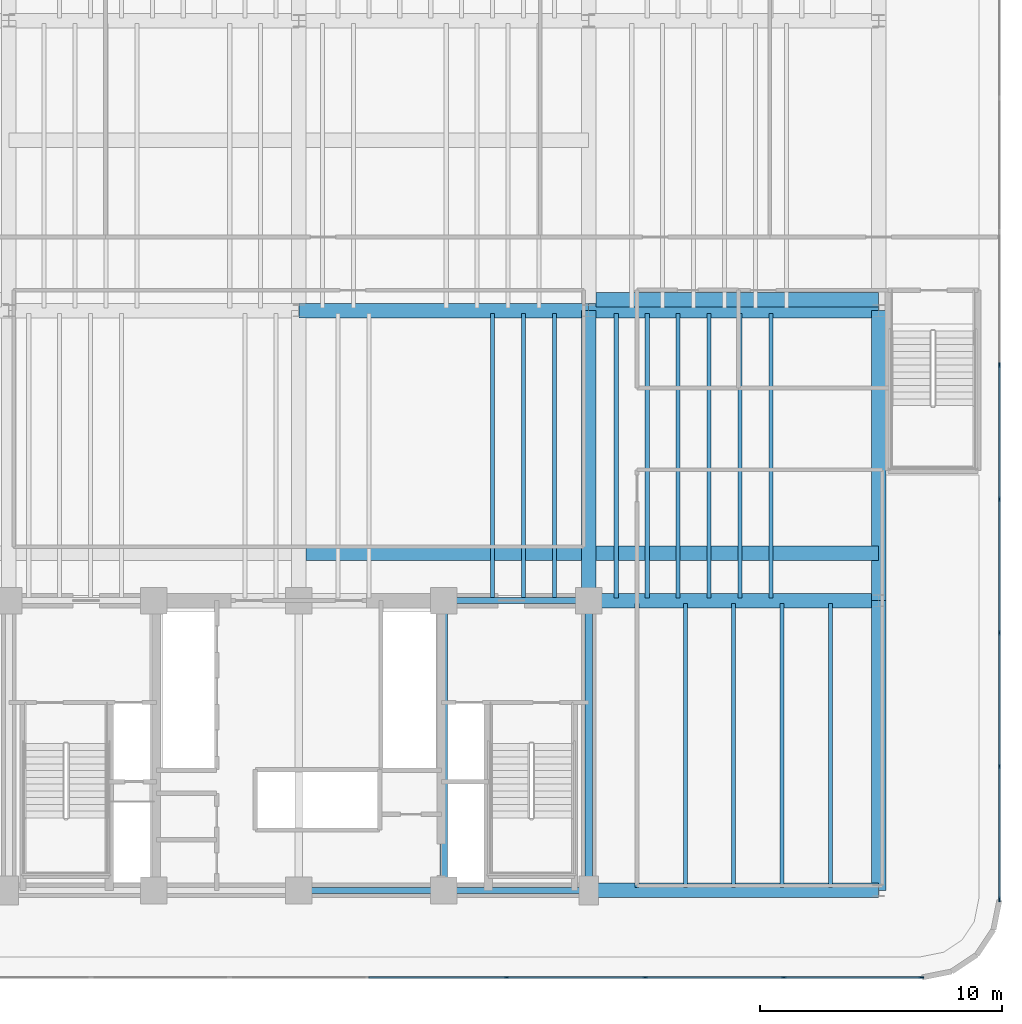
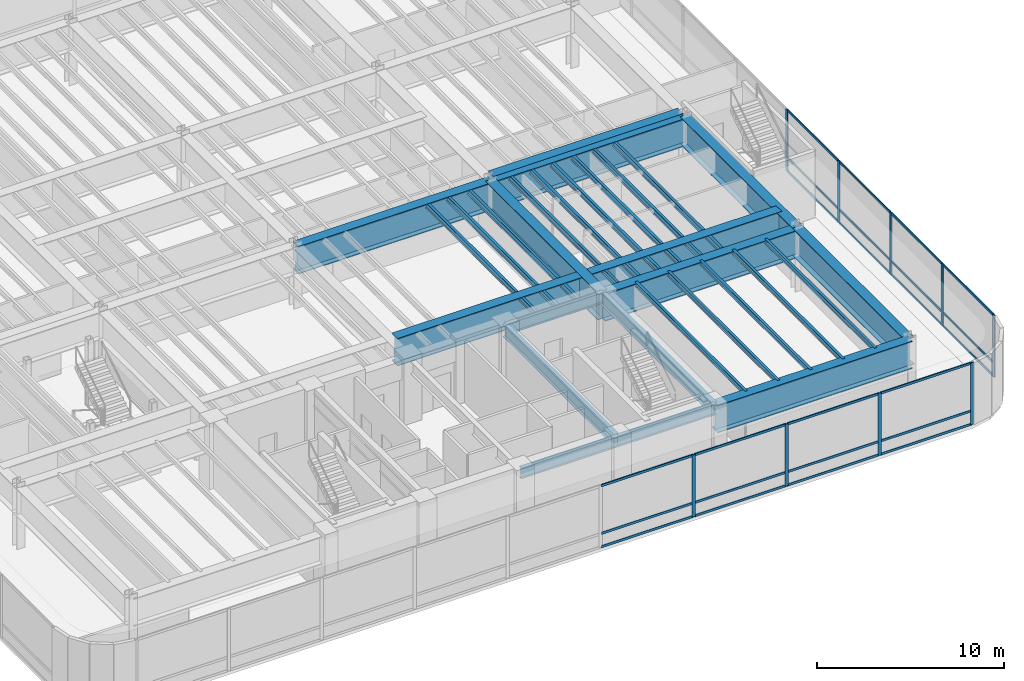
# One storey, part 6 of 19: 33 members, 29 beams, 2 elements without a shape of their own.
"""IFC4 building model written with IfcOpenShell, lengths in metres."""

from ifc_helpers import new_model, si_unit, direction, frame, origin, origin_2d, place, context, subcontext, project, spatial, rectangle, i_section, extrude, source, transform, mapped, material, layer, layer_set, material_profile, profile_set, type_object, element, aggregate, save


model = new_model("IFC4")

# Units and contexts
model_context = context("Model", 3, precision=1e-05, world=origin(), true_north=direction((0.0, 1.0)))
body_context = subcontext(model_context, "Body", "Model", "MODEL_VIEW")
ifc_project = project(units=[si_unit("LENGTHUNIT", "METRE"), si_unit("AREAUNIT", "SQUARE_METRE"), si_unit("VOLUMEUNIT", "CUBIC_METRE"), si_unit("PLANEANGLEUNIT", "RADIAN"), si_unit("MASSUNIT", "GRAM", prefix="KILO")], contexts=[model_context])

# Site, building, storey
site_placement = place(None, origin())
site = spatial("IfcSite", under=ifc_project, at=site_placement, CompositionType="ELEMENT")
building_placement = place(site_placement, origin())
building = spatial("IfcBuilding", under=site, at=building_placement, Name="Brelvock Crest Care Tower", CompositionType="ELEMENT")
storey_placement = place(building_placement, frame((0.0, 0.0, 18.360107421875)))
storey = spatial("IfcBuildingStorey", under=building, at=storey_placement, Name="L04", CompositionType="ELEMENT", Elevation=18.360107421875)

# Beams
ifc_material_1 = material(Name="Steel Grade 350", Category="steel")
ifc_material_profile_1 = material_profile(ifc_material_1, i_section(OverallWidth=0.25, OverallDepth=0.699951171875, WebThickness=0.011962890625, FlangeThickness=0.02001953125, at=origin_2d()), Name="700WB150")
ifc_profile_set_1 = profile_set([ifc_material_profile_1], Name="Steel Grade 350")
beam_type_1 = type_object("IfcBeamType", Name="BM-G4", PredefinedType="BEAM", material=ifc_profile_set_1)
shared_shape_1 = source(origin(), body_context, "Body", "SweptSolid", [
    extrude(i_section(OverallWidth=0.25, OverallDepth=0.699951171875, WebThickness=0.011962890625, FlangeThickness=0.02001953125, at=origin_2d()), origin(), (0.0, 0.0, 1.0), 6.0),
])
for number, where, z_axis, x_axis, name in (
    (1, (36.0, 6.0, 3.68994140625), (1.0, 0.0, 0.0), (0.0, 1.0, 0.0), "BM-CORES-L04-3"),
    (2, (42.0, 6.0, 3.68994140625), (1.0, 0.0, 0.0), (0.0, 1.0, 0.0), "BM-CORES-L04-4"),
    (3, (42.0, 18.0, 3.68994140625), (1.0, 0.0, 0.0), (0.0, 1.0, 0.0), "BM-COREN-L04-4"),
):
    element("IfcBeam", number, at=place(storey_placement, frame(where, z_axis=z_axis, x_axis=x_axis)), inside=storey, type_object=beam_type_1, Name=name, PredefinedType="BEAM", context=body_context, shape_type="MappedRepresentation", body=[
        mapped(shared_shape_1, transform((0.0, 0.0, 0.0), x_axis=(1.0, 0.0, 0.0), y_axis=(0.0, 1.0, 0.0), z_axis=(0.0, 0.0, 1.0), scale=1.0)),
    ])
ifc_material_profile_2 = material_profile(ifc_material_1, i_section(OverallWidth=0.300048828125, OverallDepth=0.800048828125, WebThickness=0.013916015625, FlangeThickness=0.02197265625, at=origin_2d()), Name="800WB192")
ifc_profile_set_2 = profile_set([ifc_material_profile_2], Name="Steel Grade 350")
beam_type_2 = type_object("IfcBeamType", Name="BM-G5", PredefinedType="BEAM", material=ifc_profile_set_2)
shared_shape_2 = source(origin(), body_context, "Body", "SweptSolid", [
    extrude(i_section(OverallWidth=0.300048828125, OverallDepth=0.800048828125, WebThickness=0.013916015625, FlangeThickness=0.02197265625, at=origin_2d()), origin(), (0.0, 0.0, 1.0), 12.0),
])
for number, where, z_axis, x_axis, name in (
    (4, (42.0, 6.0, 3.639892578125), (0.0, 1.0, 0.0), (-1.0, 0.0, 0.0), "BM-COREX-L04-4"),
    (5, (48.0, 6.0, 3.639892578125), (0.0, 1.0, 0.0), (-1.0, 0.0, 0.0), "BM-COREX-L04-5"),
):
    element("IfcBeam", number, at=place(storey_placement, frame(where, z_axis=z_axis, x_axis=x_axis)), inside=storey, type_object=beam_type_2, Name=name, PredefinedType="BEAM", context=body_context, shape_type="MappedRepresentation", body=[
        mapped(shared_shape_2, transform((0.0, 0.0, 0.0), x_axis=(1.0, 0.0, 0.0), y_axis=(0.0, 1.0, 0.0), z_axis=(0.0, 0.0, 1.0), scale=1.0)),
    ])
ifc_material_profile_3 = material_profile(ifc_material_1, i_section(OverallWidth=0.172119140625, OverallDepth=0.35888671875, WebThickness=0.008056640625, FlangeThickness=0.012939453125, FilletRadius=0.011474609375, at=origin_2d()), Name="360UB56.7")
ifc_profile_set_3 = profile_set([ifc_material_profile_3], Name="Steel Grade 350")
beam_type_3 = type_object("IfcBeamType", Name="BM-J1", PredefinedType="JOIST", material=ifc_profile_set_3)
shared_shape_3 = source(origin(), body_context, "Body", "SweptSolid", [
    extrude(i_section(OverallWidth=0.172119140625, OverallDepth=0.35888671875, WebThickness=0.008056640625, FlangeThickness=0.012939453125, FilletRadius=0.011474609375, at=origin_2d()), origin(), (0.0, 0.0, 1.0), 11.77001953125),
])
for number, where, z_axis, x_axis, name in (
    (6, (44.02001953125, 18.114990234375, 3.8603515625), (0.0, 1.0, 0.0), (-1.0, 0.0, 0.0), "BM-PODJ-L04-4402-18"),
    (7, (45.300048828125, 18.114990234375, 3.8603515625), (0.0, 1.0, 0.0), (-1.0, 0.0, 0.0), "BM-PODJ-L04-4530-18"),
    (8, (46.580078125, 18.114990234375, 3.8603515625), (0.0, 1.0, 0.0), (-1.0, 0.0, 0.0), "BM-PODJ-L04-4658-18"),
    (9, (49.139892578125, 18.114990234375, 3.8603515625), (0.0, 1.0, 0.0), (-1.0, 0.0, 0.0), "BM-PODJ-L04-4914-18"),
    (10, (50.419921875, 18.114990234375, 3.8603515625), (0.0, 1.0, 0.0), (-1.0, 0.0, 0.0), "BM-PODJ-L04-5042-18"),
    (11, (51.699951171875, 18.114990234375, 3.8603515625), (0.0, 1.0, 0.0), (-1.0, 0.0, 0.0), "BM-PODJ-L04-5170-18"),
    (12, (52.97998046875, 18.114990234375, 3.8603515625), (0.0, 1.0, 0.0), (-1.0, 0.0, 0.0), "BM-PODJ-L04-5298-18"),
    (13, (54.260009765625, 18.114990234375, 3.8603515625), (0.0, 1.0, 0.0), (-1.0, 0.0, 0.0), "BM-PODJ-L04-5426-18"),
    (14, (55.5400390625, 18.114990234375, 3.8603515625), (0.0, 1.0, 0.0), (-1.0, 0.0, 0.0), "BM-PODJ-L04-5554-18"),
):
    element("IfcBeam", number, at=place(storey_placement, frame(where, z_axis=z_axis, x_axis=x_axis)), inside=storey, type_object=beam_type_3, Name=name, PredefinedType="JOIST", context=body_context, shape_type="MappedRepresentation", body=[
        mapped(shared_shape_3, transform((0.0, 0.0, 0.0), x_axis=(1.0, 0.0, 0.0), y_axis=(0.0, 1.0, 0.0), z_axis=(0.0, 0.0, 1.0), scale=1.0)),
    ])
ifc_material_profile_4 = material_profile(ifc_material_1, i_section(OverallWidth=0.166015625, OverallDepth=0.306884765625, WebThickness=0.006591796875, FlangeThickness=0.01171875, FilletRadius=0.011474609375, at=origin_2d()), Name="310UB46.2")
ifc_profile_set_4 = profile_set([ifc_material_profile_4], Name="Steel Grade 350")
beam_type_4 = type_object("IfcBeamType", Name="BM-J2", PredefinedType="JOIST", material=ifc_profile_set_4)
shared_shape_4 = source(origin(), body_context, "Body", "SweptSolid", [
    extrude(i_section(OverallWidth=0.166015625, OverallDepth=0.306884765625, WebThickness=0.006591796875, FlangeThickness=0.01171875, FilletRadius=0.011474609375, at=origin_2d()), origin(), (0.0, 0.0, 1.0), 11.77001953125),
])
for number, where, z_axis, x_axis, name in (
    (15, (50.0, 6.114990234375, 3.886474609375), (0.0, 1.0, 0.0), (-1.0, 0.0, 0.0), "BM-PODSJ-L04-500"),
    (16, (52.0, 6.114990234375, 3.886474609375), (0.0, 1.0, 0.0), (-1.0, 0.0, 0.0), "BM-PODSJ-L04-520"),
    (17, (54.0, 6.114990234375, 3.886474609375), (0.0, 1.0, 0.0), (-1.0, 0.0, 0.0), "BM-PODSJ-L04-540"),
    (18, (56.0, 6.114990234375, 3.886474609375), (0.0, 1.0, 0.0), (-1.0, 0.0, 0.0), "BM-PODSJ-L04-560"),
    (19, (58.0, 6.114990234375, 3.886474609375), (0.0, 1.0, 0.0), (-1.0, 0.0, 0.0), "BM-PODSJ-L04-580"),
):
    element("IfcBeam", number, at=place(storey_placement, frame(where, z_axis=z_axis, x_axis=x_axis)), inside=storey, type_object=beam_type_4, Name=name, PredefinedType="JOIST", context=body_context, shape_type="MappedRepresentation", body=[
        mapped(shared_shape_4, transform((0.0, 0.0, 0.0), x_axis=(1.0, 0.0, 0.0), y_axis=(0.0, 1.0, 0.0), z_axis=(0.0, 0.0, 1.0), scale=1.0)),
    ])
ifc_material_profile_5 = material_profile(ifc_material_1, i_section(OverallWidth=0.60009765625, OverallDepth=1.800048828125, WebThickness=0.028076171875, FlangeThickness=0.052001953125, at=origin_2d()), Name="1800TG740")
ifc_profile_set_5 = profile_set([ifc_material_profile_5], Name="Steel Grade 350")
beam_type_5 = type_object("IfcBeamType", Name="BM-TG1", PredefinedType="USERDEFINED", material=ifc_profile_set_5)
shared_shape_5 = source(origin(), body_context, "Body", "SweptSolid", [
    extrude(i_section(OverallWidth=0.60009765625, OverallDepth=1.800048828125, WebThickness=0.028076171875, FlangeThickness=0.052001953125, at=origin_2d()), origin(), (0.0, 0.0, 1.0), 12.0),
])
for number, where, z_axis, x_axis, name in (
    (20, (48.0, 6.0, 3.139892578125), (1.0, 0.0, 0.0), (0.0, 1.0, 0.0), "BM-PODX-L04-6-48"),
    (21, (48.0, 18.0, 3.139892578125), (1.0, 0.0, 0.0), (0.0, 1.0, 0.0), "BM-PODX-L04-18-48"),
    (22, (36.0, 30.0, 3.139892578125), (1.0, 0.0, 0.0), (0.0, 1.0, 0.0), "BM-PODX-L04-30-36"),
    (23, (48.0, 30.0, 3.139892578125), (1.0, 0.0, 0.0), (0.0, 1.0, 0.0), "BM-PODX-L04-30-48"),
    (24, (48.0, 18.0, 3.139892578125), (0.0, 1.0, 0.0), (-1.0, 0.0, 0.0), "BM-PODY-L04-48-18"),
    (25, (60.0, 6.0, 3.139892578125), (0.0, 1.0, 0.0), (-1.0, 0.0, 0.0), "BM-PODY-L04-60-6"),
    (26, (60.0, 18.0, 3.139892578125), (0.0, 1.0, 0.0), (-1.0, 0.0, 0.0), "BM-PODY-L04-60-18"),
):
    element("IfcBeam", number, at=place(storey_placement, frame(where, z_axis=z_axis, x_axis=x_axis)), inside=storey, type_object=beam_type_5, Name=name, ObjectType="GIRDER", PredefinedType="USERDEFINED", context=body_context, shape_type="MappedRepresentation", body=[
        mapped(shared_shape_5, transform((0.0, 0.0, 0.0), x_axis=(1.0, 0.0, 0.0), y_axis=(0.0, 1.0, 0.0), z_axis=(0.0, 0.0, 1.0), scale=1.0)),
    ])
shared_shape_6 = source(origin(), body_context, "Body", "SweptSolid", [
    extrude(i_section(OverallWidth=0.60009765625, OverallDepth=1.800048828125, WebThickness=0.028076171875, FlangeThickness=0.052001953125, at=origin_2d()), origin(), (0.0, 0.0, 1.0), 11.699951171875),
])
for number, where, z_axis, x_axis, name in (
    (27, (48.300048828125, 19.949951171875, 3.139892578125), (1.0, 0.0, 0.0), (0.0, 1.0, 0.0), "BM-TG04-Y20-4"),
    (28, (48.300048828125, 30.449951171875, 3.139892578125), (1.0, 0.0, 0.0), (0.0, 1.0, 0.0), "BM-TG04-Y30-E"),
):
    element("IfcBeam", number, at=place(storey_placement, frame(where, z_axis=z_axis, x_axis=x_axis)), inside=storey, type_object=beam_type_5, Name=name, ObjectType="GIRDER", PredefinedType="USERDEFINED", context=body_context, shape_type="MappedRepresentation", body=[
        mapped(shared_shape_6, transform((0.0, 0.0, 0.0), x_axis=(1.0, 0.0, 0.0), y_axis=(0.0, 1.0, 0.0), z_axis=(0.0, 0.0, 1.0), scale=1.0)),
    ])
shared_shape_7 = source(origin(), body_context, "Body", "SweptSolid", [
    extrude(i_section(OverallWidth=0.60009765625, OverallDepth=1.800048828125, WebThickness=0.028076171875, FlangeThickness=0.052001953125, at=origin_2d()), origin(), (0.0, 0.0, 1.0), 11.39990234375),
])
beam_placement = place(storey_placement, frame((36.300048828125, 19.949951171875, 3.139892578125), z_axis=(1.0, 0.0, 0.0), x_axis=(0.0, 1.0, 0.0)))
element("IfcBeam", 29, at=beam_placement, inside=storey, type_object=beam_type_5, Name="BM-TG04-Y20-3", ObjectType="GIRDER", PredefinedType="USERDEFINED", context=body_context, shape_type="MappedRepresentation", body=[
    mapped(shared_shape_7, transform((0.0, 0.0, 0.0), x_axis=(1.0, 0.0, 0.0), y_axis=(0.0, 1.0, 0.0), z_axis=(0.0, 0.0, 1.0), scale=1.0)),
])

# Curtain wall, members
ifc_material_2 = material(Name="Dark Glass Double Glazed Low-E", Category="glass")
ifc_layer = layer(ifc_material_2, 0.179931640625, Name="CWS-1")
ifc_layer_set = layer_set([ifc_layer], Name="Dark Glass Double Glazed Low-E")
curtain_wall_type = type_object("IfcCurtainWallType", Name="CWS-1", PredefinedType="NOTDEFINED", material=ifc_layer_set)
curtain_wall_1_placement = place(storey_placement, origin())
curtain_wall_1 = element("IfcCurtainWall", 30, at=curtain_wall_1_placement, inside=storey, type_object=curtain_wall_type, Name="L04 Curtain Wall E14", PredefinedType="NOTDEFINED")
ifc_material_3 = material(Name="Aluminium 6063-T6", Category="aluminium")
ifc_material_profile_6 = material_profile(ifc_material_3, rectangle(XDim=0.06494140625, YDim=0.14990234375, at=origin_2d()), Name="ALU65x150")
ifc_profile_set_6 = profile_set([ifc_material_profile_6], Name="Aluminium 6063-T6")
member_type_1 = type_object("IfcMemberType", Name="CWT-1", PredefinedType="USERDEFINED", material=ifc_profile_set_6)
shared_shape_8 = source(origin(), body_context, "Body", "SweptSolid", [
    extrude(rectangle(XDim=0.06494140625, YDim=0.14990234375, at=origin_2d()), origin(), (0.0, 0.0, 1.0), 5.435791015625),
])
member_1_placement = place(storey_placement, frame((65.0, 11.100830078125, 0.032470703125), z_axis=(0.0, -1.0, 0.0), x_axis=(1.0, 0.0, 0.0)))
member_1 = element("IfcMember", 31, at=member_1_placement, type_object=member_type_1, Name="CW-1 transom 9.1", ObjectType="TRANSOM", PredefinedType="USERDEFINED", context=body_context, shape_type="MappedRepresentation", body=[
    mapped(shared_shape_8, transform((0.0, 0.0, 0.0), x_axis=(1.0, 0.0, 0.0), y_axis=(0.0, 1.0, 0.0), z_axis=(0.0, 0.0, 1.0), scale=1.0)),
])
member_2_placement = place(storey_placement, frame((65.0, 11.100830078125, 0.89990234375), z_axis=(0.0, -1.0, 0.0), x_axis=(1.0, 0.0, 0.0)))
member_2 = element("IfcMember", 32, at=member_2_placement, type_object=member_type_1, Name="CW-1 transom 9.2", ObjectType="TRANSOM", PredefinedType="USERDEFINED", context=body_context, shape_type="MappedRepresentation", body=[
    mapped(shared_shape_8, transform((0.0, 0.0, 0.0), x_axis=(1.0, 0.0, 0.0), y_axis=(0.0, 1.0, 0.0), z_axis=(0.0, 0.0, 1.0), scale=1.0)),
])
member_3_placement = place(storey_placement, frame((65.0, 11.100830078125, 4.00732421875), z_axis=(0.0, -1.0, 0.0), x_axis=(1.0, 0.0, 0.0)))
member_3 = element("IfcMember", 33, at=member_3_placement, type_object=member_type_1, Name="CW-1 transom 9.3", ObjectType="TRANSOM", PredefinedType="USERDEFINED", context=body_context, shape_type="MappedRepresentation", body=[
    mapped(shared_shape_8, transform((0.0, 0.0, 0.0), x_axis=(1.0, 0.0, 0.0), y_axis=(0.0, 1.0, 0.0), z_axis=(0.0, 0.0, 1.0), scale=1.0)),
])
shared_shape_9 = source(origin(), body_context, "Body", "SweptSolid", [
    extrude(rectangle(XDim=0.06494140625, YDim=0.14990234375, at=origin_2d()), origin(), (0.0, 0.0, 1.0), 5.468505859375),
])
member_4_placement = place(storey_placement, frame((65.0, 27.700927734375, 0.032470703125), z_axis=(0.0, -1.0, 0.0), x_axis=(1.0, 0.0, 0.0)))
member_4 = element("IfcMember", 34, at=member_4_placement, type_object=member_type_1, Name="CW-1 transom 6.1", ObjectType="TRANSOM", PredefinedType="USERDEFINED", context=body_context, shape_type="MappedRepresentation", body=[
    mapped(shared_shape_9, transform((0.0, 0.0, 0.0), x_axis=(1.0, 0.0, 0.0), y_axis=(0.0, 1.0, 0.0), z_axis=(0.0, 0.0, 1.0), scale=1.0)),
])
member_5_placement = place(storey_placement, frame((65.0, 27.700927734375, 0.89990234375), z_axis=(0.0, -1.0, 0.0), x_axis=(1.0, 0.0, 0.0)))
member_5 = element("IfcMember", 35, at=member_5_placement, type_object=member_type_1, Name="CW-1 transom 6.2", ObjectType="TRANSOM", PredefinedType="USERDEFINED", context=body_context, shape_type="MappedRepresentation", body=[
    mapped(shared_shape_9, transform((0.0, 0.0, 0.0), x_axis=(1.0, 0.0, 0.0), y_axis=(0.0, 1.0, 0.0), z_axis=(0.0, 0.0, 1.0), scale=1.0)),
])
member_6_placement = place(storey_placement, frame((65.0, 27.700927734375, 4.00732421875), z_axis=(0.0, -1.0, 0.0), x_axis=(1.0, 0.0, 0.0)))
member_6 = element("IfcMember", 36, at=member_6_placement, type_object=member_type_1, Name="CW-1 transom 6.3", ObjectType="TRANSOM", PredefinedType="USERDEFINED", context=body_context, shape_type="MappedRepresentation", body=[
    mapped(shared_shape_9, transform((0.0, 0.0, 0.0), x_axis=(1.0, 0.0, 0.0), y_axis=(0.0, 1.0, 0.0), z_axis=(0.0, 0.0, 1.0), scale=1.0)),
])
member_7_placement = place(storey_placement, frame((65.0, 16.63427734375, 0.032470703125), z_axis=(0.0, -1.0, 0.0), x_axis=(1.0, 0.0, 0.0)))
member_7 = element("IfcMember", 37, at=member_7_placement, type_object=member_type_1, Name="CW-1 transom 8.1", ObjectType="TRANSOM", PredefinedType="USERDEFINED", context=body_context, shape_type="MappedRepresentation", body=[
    mapped(shared_shape_9, transform((0.0, 0.0, 0.0), x_axis=(1.0, 0.0, 0.0), y_axis=(0.0, 1.0, 0.0), z_axis=(0.0, 0.0, 1.0), scale=1.0)),
])
member_8_placement = place(storey_placement, frame((65.0, 16.63427734375, 0.89990234375), z_axis=(0.0, -1.0, 0.0), x_axis=(1.0, 0.0, 0.0)))
member_8 = element("IfcMember", 38, at=member_8_placement, type_object=member_type_1, Name="CW-1 transom 8.2", ObjectType="TRANSOM", PredefinedType="USERDEFINED", context=body_context, shape_type="MappedRepresentation", body=[
    mapped(shared_shape_9, transform((0.0, 0.0, 0.0), x_axis=(1.0, 0.0, 0.0), y_axis=(0.0, 1.0, 0.0), z_axis=(0.0, 0.0, 1.0), scale=1.0)),
])
member_9_placement = place(storey_placement, frame((65.0, 16.63427734375, 4.00732421875), z_axis=(0.0, -1.0, 0.0), x_axis=(1.0, 0.0, 0.0)))
member_9 = element("IfcMember", 39, at=member_9_placement, type_object=member_type_1, Name="CW-1 transom 8.3", ObjectType="TRANSOM", PredefinedType="USERDEFINED", context=body_context, shape_type="MappedRepresentation", body=[
    mapped(shared_shape_9, transform((0.0, 0.0, 0.0), x_axis=(1.0, 0.0, 0.0), y_axis=(0.0, 1.0, 0.0), z_axis=(0.0, 0.0, 1.0), scale=1.0)),
])
shared_shape_10 = source(origin(), body_context, "Body", "SweptSolid", [
    extrude(rectangle(XDim=0.06494140625, YDim=0.14990234375, at=origin_2d()), origin(), (0.0, 0.0, 1.0), 5.46826171875),
])
member_10_placement = place(storey_placement, frame((65.0, 22.16748046875, 0.032470703125), z_axis=(0.0, -1.0, 0.0), x_axis=(1.0, 0.0, 0.0)))
member_10 = element("IfcMember", 40, at=member_10_placement, type_object=member_type_1, Name="CW-1 transom 7.1", ObjectType="TRANSOM", PredefinedType="USERDEFINED", context=body_context, shape_type="MappedRepresentation", body=[
    mapped(shared_shape_10, transform((0.0, 0.0, 0.0), x_axis=(1.0, 0.0, 0.0), y_axis=(0.0, 1.0, 0.0), z_axis=(0.0, 0.0, 1.0), scale=1.0)),
])
member_11_placement = place(storey_placement, frame((65.0, 22.16748046875, 0.89990234375), z_axis=(0.0, -1.0, 0.0), x_axis=(1.0, 0.0, 0.0)))
member_11 = element("IfcMember", 41, at=member_11_placement, type_object=member_type_1, Name="CW-1 transom 7.2", ObjectType="TRANSOM", PredefinedType="USERDEFINED", context=body_context, shape_type="MappedRepresentation", body=[
    mapped(shared_shape_10, transform((0.0, 0.0, 0.0), x_axis=(1.0, 0.0, 0.0), y_axis=(0.0, 1.0, 0.0), z_axis=(0.0, 0.0, 1.0), scale=1.0)),
])
member_12_placement = place(storey_placement, frame((65.0, 22.16748046875, 4.00732421875), z_axis=(0.0, -1.0, 0.0), x_axis=(1.0, 0.0, 0.0)))
member_12 = element("IfcMember", 42, at=member_12_placement, type_object=member_type_1, Name="CW-1 transom 7.3", ObjectType="TRANSOM", PredefinedType="USERDEFINED", context=body_context, shape_type="MappedRepresentation", body=[
    mapped(shared_shape_10, transform((0.0, 0.0, 0.0), x_axis=(1.0, 0.0, 0.0), y_axis=(0.0, 1.0, 0.0), z_axis=(0.0, 0.0, 1.0), scale=1.0)),
])

curtain_wall_2_placement = place(storey_placement, origin())
curtain_wall_2 = element("IfcCurtainWall", 43, at=curtain_wall_2_placement, inside=storey, type_object=curtain_wall_type, Name="L04 Curtain Wall E19", PredefinedType="NOTDEFINED")
shared_shape_11 = source(origin(), body_context, "Body", "SweptSolid", [
    extrude(rectangle(XDim=0.06494140625, YDim=0.14990234375, at=origin_2d()), origin(), (0.0, 0.0, 1.0), 5.635986328125),
])
member_13_placement = place(storey_placement, frame((61.735107421875, 2.39990234375, 0.032470703125), z_axis=(-1.0, 0.0, 0.0), x_axis=(0.0, -1.0, 0.0)))
member_13 = element("IfcMember", 44, at=member_13_placement, type_object=member_type_1, Name="CW-1 transom 1.1", ObjectType="TRANSOM", PredefinedType="USERDEFINED", context=body_context, shape_type="MappedRepresentation", body=[
    mapped(shared_shape_11, transform((0.0, 0.0, 0.0), x_axis=(1.0, 0.0, 0.0), y_axis=(0.0, 1.0, 0.0), z_axis=(0.0, 0.0, 1.0), scale=1.0)),
])
member_14_placement = place(storey_placement, frame((61.735107421875, 2.39990234375, 0.89990234375), z_axis=(-1.0, 0.0, 0.0), x_axis=(0.0, -1.0, 0.0)))
member_14 = element("IfcMember", 45, at=member_14_placement, type_object=member_type_1, Name="CW-1 transom 1.2", ObjectType="TRANSOM", PredefinedType="USERDEFINED", context=body_context, shape_type="MappedRepresentation", body=[
    mapped(shared_shape_11, transform((0.0, 0.0, 0.0), x_axis=(1.0, 0.0, 0.0), y_axis=(0.0, 1.0, 0.0), z_axis=(0.0, 0.0, 1.0), scale=1.0)),
])
member_15_placement = place(storey_placement, frame((61.735107421875, 2.39990234375, 4.00732421875), z_axis=(-1.0, 0.0, 0.0), x_axis=(0.0, -1.0, 0.0)))
member_15 = element("IfcMember", 46, at=member_15_placement, type_object=member_type_1, Name="CW-1 transom 1.3", ObjectType="TRANSOM", PredefinedType="USERDEFINED", context=body_context, shape_type="MappedRepresentation", body=[
    mapped(shared_shape_11, transform((0.0, 0.0, 0.0), x_axis=(1.0, 0.0, 0.0), y_axis=(0.0, 1.0, 0.0), z_axis=(0.0, 0.0, 1.0), scale=1.0)),
])
shared_shape_12 = source(origin(), body_context, "Body", "SweptSolid", [
    extrude(rectangle(XDim=0.06494140625, YDim=0.14990234375, at=origin_2d()), origin(), (0.0, 0.0, 1.0), 5.66845703125),
])
member_16_placement = place(storey_placement, frame((56.0341796875, 2.39990234375, 0.032470703125), z_axis=(-1.0, 0.0, 0.0), x_axis=(0.0, -1.0, 0.0)))
member_16 = element("IfcMember", 47, at=member_16_placement, type_object=member_type_1, Name="CW-1 transom 2.1", ObjectType="TRANSOM", PredefinedType="USERDEFINED", context=body_context, shape_type="MappedRepresentation", body=[
    mapped(shared_shape_12, transform((0.0, 0.0, 0.0), x_axis=(1.0, 0.0, 0.0), y_axis=(0.0, 1.0, 0.0), z_axis=(0.0, 0.0, 1.0), scale=1.0)),
])
member_17_placement = place(storey_placement, frame((56.0341796875, 2.39990234375, 0.89990234375), z_axis=(-1.0, 0.0, 0.0), x_axis=(0.0, -1.0, 0.0)))
member_17 = element("IfcMember", 48, at=member_17_placement, type_object=member_type_1, Name="CW-1 transom 2.2", ObjectType="TRANSOM", PredefinedType="USERDEFINED", context=body_context, shape_type="MappedRepresentation", body=[
    mapped(shared_shape_12, transform((0.0, 0.0, 0.0), x_axis=(1.0, 0.0, 0.0), y_axis=(0.0, 1.0, 0.0), z_axis=(0.0, 0.0, 1.0), scale=1.0)),
])
member_18_placement = place(storey_placement, frame((56.0341796875, 2.39990234375, 4.00732421875), z_axis=(-1.0, 0.0, 0.0), x_axis=(0.0, -1.0, 0.0)))
member_18 = element("IfcMember", 49, at=member_18_placement, type_object=member_type_1, Name="CW-1 transom 2.3", ObjectType="TRANSOM", PredefinedType="USERDEFINED", context=body_context, shape_type="MappedRepresentation", body=[
    mapped(shared_shape_12, transform((0.0, 0.0, 0.0), x_axis=(1.0, 0.0, 0.0), y_axis=(0.0, 1.0, 0.0), z_axis=(0.0, 0.0, 1.0), scale=1.0)),
])
shared_shape_13 = source(origin(), body_context, "Body", "SweptSolid", [
    extrude(rectangle(XDim=0.06494140625, YDim=0.14990234375, at=origin_2d()), origin(), (0.0, 0.0, 1.0), 5.668212890625),
])
member_19_placement = place(storey_placement, frame((50.30078125, 2.39990234375, 0.032470703125), z_axis=(-1.0, 0.0, 0.0), x_axis=(0.0, -1.0, 0.0)))
member_19 = element("IfcMember", 50, at=member_19_placement, type_object=member_type_1, Name="CW-1 transom 3.1", ObjectType="TRANSOM", PredefinedType="USERDEFINED", context=body_context, shape_type="MappedRepresentation", body=[
    mapped(shared_shape_13, transform((0.0, 0.0, 0.0), x_axis=(1.0, 0.0, 0.0), y_axis=(0.0, 1.0, 0.0), z_axis=(0.0, 0.0, 1.0), scale=1.0)),
])
member_20_placement = place(storey_placement, frame((50.30078125, 2.39990234375, 0.89990234375), z_axis=(-1.0, 0.0, 0.0), x_axis=(0.0, -1.0, 0.0)))
member_20 = element("IfcMember", 51, at=member_20_placement, type_object=member_type_1, Name="CW-1 transom 3.2", ObjectType="TRANSOM", PredefinedType="USERDEFINED", context=body_context, shape_type="MappedRepresentation", body=[
    mapped(shared_shape_13, transform((0.0, 0.0, 0.0), x_axis=(1.0, 0.0, 0.0), y_axis=(0.0, 1.0, 0.0), z_axis=(0.0, 0.0, 1.0), scale=1.0)),
])
member_21_placement = place(storey_placement, frame((50.30078125, 2.39990234375, 4.00732421875), z_axis=(-1.0, 0.0, 0.0), x_axis=(0.0, -1.0, 0.0)))
member_21 = element("IfcMember", 52, at=member_21_placement, type_object=member_type_1, Name="CW-1 transom 3.3", ObjectType="TRANSOM", PredefinedType="USERDEFINED", context=body_context, shape_type="MappedRepresentation", body=[
    mapped(shared_shape_13, transform((0.0, 0.0, 0.0), x_axis=(1.0, 0.0, 0.0), y_axis=(0.0, 1.0, 0.0), z_axis=(0.0, 0.0, 1.0), scale=1.0)),
])
member_22_placement = place(storey_placement, frame((44.5673828125, 2.39990234375, 0.032470703125), z_axis=(-1.0, 0.0, 0.0), x_axis=(0.0, -1.0, 0.0)))
member_22 = element("IfcMember", 53, at=member_22_placement, type_object=member_type_1, Name="CW-1 transom 4.1", ObjectType="TRANSOM", PredefinedType="USERDEFINED", context=body_context, shape_type="MappedRepresentation", body=[
    mapped(shared_shape_13, transform((0.0, 0.0, 0.0), x_axis=(1.0, 0.0, 0.0), y_axis=(0.0, 1.0, 0.0), z_axis=(0.0, 0.0, 1.0), scale=1.0)),
])
member_23_placement = place(storey_placement, frame((44.5673828125, 2.39990234375, 0.89990234375), z_axis=(-1.0, 0.0, 0.0), x_axis=(0.0, -1.0, 0.0)))
member_23 = element("IfcMember", 54, at=member_23_placement, type_object=member_type_1, Name="CW-1 transom 4.2", ObjectType="TRANSOM", PredefinedType="USERDEFINED", context=body_context, shape_type="MappedRepresentation", body=[
    mapped(shared_shape_13, transform((0.0, 0.0, 0.0), x_axis=(1.0, 0.0, 0.0), y_axis=(0.0, 1.0, 0.0), z_axis=(0.0, 0.0, 1.0), scale=1.0)),
])
member_24_placement = place(storey_placement, frame((44.5673828125, 2.39990234375, 4.00732421875), z_axis=(-1.0, 0.0, 0.0), x_axis=(0.0, -1.0, 0.0)))
member_24 = element("IfcMember", 55, at=member_24_placement, type_object=member_type_1, Name="CW-1 transom 4.3", ObjectType="TRANSOM", PredefinedType="USERDEFINED", context=body_context, shape_type="MappedRepresentation", body=[
    mapped(shared_shape_13, transform((0.0, 0.0, 0.0), x_axis=(1.0, 0.0, 0.0), y_axis=(0.0, 1.0, 0.0), z_axis=(0.0, 0.0, 1.0), scale=1.0)),
])

# Member
ifc_material_profile_7 = material_profile(ifc_material_3, rectangle(XDim=0.06494140625, YDim=0.199951171875, at=origin_2d()), Name="ALU65x200")
ifc_profile_set_7 = profile_set([ifc_material_profile_7], Name="Aluminium 6063-T6")
member_type_2 = type_object("IfcMemberType", Name="CWM-1", PredefinedType="MULLION", material=ifc_profile_set_7)
shared_shape_14 = source(origin(), body_context, "Body", "SweptSolid", [
    extrude(rectangle(XDim=0.06494140625, YDim=0.199951171875, at=origin_2d()), origin(), (0.0, 0.0, 1.0), 4.039794921875),
])
member_25_placement = place(storey_placement, frame((65.0, 27.7333984375, 0.0), z_axis=(0.0, 0.0, 1.0), x_axis=(1.0, 0.0, 0.0)))
member_25 = element("IfcMember", 56, at=member_25_placement, type_object=member_type_2, Name="CW-1 mullion 6", PredefinedType="MULLION", context=body_context, shape_type="MappedRepresentation", body=[
    mapped(shared_shape_14, transform((0.0, 0.0, 0.0), x_axis=(1.0, 0.0, 0.0), y_axis=(0.0, 1.0, 0.0), z_axis=(0.0, 0.0, 1.0), scale=1.0)),
])

member_26_placement = place(storey_placement, frame((65.0, 22.199951171875, 0.0), z_axis=(0.0, 0.0, 1.0), x_axis=(1.0, 0.0, 0.0)))
member_26 = element("IfcMember", 57, at=member_26_placement, type_object=member_type_2, Name="CW-1 mullion 7", PredefinedType="MULLION", context=body_context, shape_type="MappedRepresentation", body=[
    mapped(shared_shape_14, transform((0.0, 0.0, 0.0), x_axis=(1.0, 0.0, 0.0), y_axis=(0.0, 1.0, 0.0), z_axis=(0.0, 0.0, 1.0), scale=1.0)),
])

member_27_placement = place(storey_placement, frame((65.0, 16.666748046875, 0.0), z_axis=(0.0, 0.0, 1.0), x_axis=(1.0, 0.0, 0.0)))
member_27 = element("IfcMember", 58, at=member_27_placement, type_object=member_type_2, Name="CW-1 mullion 8", PredefinedType="MULLION", context=body_context, shape_type="MappedRepresentation", body=[
    mapped(shared_shape_14, transform((0.0, 0.0, 0.0), x_axis=(1.0, 0.0, 0.0), y_axis=(0.0, 1.0, 0.0), z_axis=(0.0, 0.0, 1.0), scale=1.0)),
])

member_28_placement = place(storey_placement, frame((65.0, 11.13330078125, 0.0), z_axis=(0.0, 0.0, 1.0), x_axis=(1.0, 0.0, 0.0)))
member_28 = element("IfcMember", 59, at=member_28_placement, type_object=member_type_2, Name="CW-1 mullion 9", PredefinedType="MULLION", context=body_context, shape_type="MappedRepresentation", body=[
    mapped(shared_shape_14, transform((0.0, 0.0, 0.0), x_axis=(1.0, 0.0, 0.0), y_axis=(0.0, 1.0, 0.0), z_axis=(0.0, 0.0, 1.0), scale=1.0)),
])

member_29_placement = place(storey_placement, frame((65.0, 5.632568359375, 0.0), z_axis=(0.0, 0.0, 1.0), x_axis=(1.0, 0.0, 0.0)))
member_29 = element("IfcMember", 60, at=member_29_placement, type_object=member_type_2, Name="CW-1 mullion 10", PredefinedType="MULLION", context=body_context, shape_type="MappedRepresentation", body=[
    mapped(shared_shape_14, transform((0.0, 0.0, 0.0), x_axis=(1.0, 0.0, 0.0), y_axis=(0.0, 1.0, 0.0), z_axis=(0.0, 0.0, 1.0), scale=1.0)),
])

aggregate(curtain_wall_1, [member_25, member_26, member_27, member_28, member_29, member_4, member_5, member_6, member_10, member_11, member_12, member_7, member_8, member_9, member_1, member_2, member_3])

member_30_placement = place(storey_placement, frame((61.767578125, 2.39990234375, 0.0), z_axis=(0.0, 0.0, 1.0), x_axis=(0.0, -1.0, 0.0)))
member_30 = element("IfcMember", 61, at=member_30_placement, type_object=member_type_2, Name="CW-1 mullion 1", PredefinedType="MULLION", context=body_context, shape_type="MappedRepresentation", body=[
    mapped(shared_shape_14, transform((0.0, 0.0, 0.0), x_axis=(1.0, 0.0, 0.0), y_axis=(0.0, 1.0, 0.0), z_axis=(0.0, 0.0, 1.0), scale=1.0)),
])

member_31_placement = place(storey_placement, frame((56.066650390625, 2.39990234375, 0.0), z_axis=(0.0, 0.0, 1.0), x_axis=(0.0, -1.0, 0.0)))
member_31 = element("IfcMember", 62, at=member_31_placement, type_object=member_type_2, Name="CW-1 mullion 2", PredefinedType="MULLION", context=body_context, shape_type="MappedRepresentation", body=[
    mapped(shared_shape_14, transform((0.0, 0.0, 0.0), x_axis=(1.0, 0.0, 0.0), y_axis=(0.0, 1.0, 0.0), z_axis=(0.0, 0.0, 1.0), scale=1.0)),
])

member_32_placement = place(storey_placement, frame((50.333251953125, 2.39990234375, 0.0), z_axis=(0.0, 0.0, 1.0), x_axis=(0.0, -1.0, 0.0)))
member_32 = element("IfcMember", 63, at=member_32_placement, type_object=member_type_2, Name="CW-1 mullion 3", PredefinedType="MULLION", context=body_context, shape_type="MappedRepresentation", body=[
    mapped(shared_shape_14, transform((0.0, 0.0, 0.0), x_axis=(1.0, 0.0, 0.0), y_axis=(0.0, 1.0, 0.0), z_axis=(0.0, 0.0, 1.0), scale=1.0)),
])

member_33_placement = place(storey_placement, frame((44.60009765625, 2.39990234375, 0.0), z_axis=(0.0, 0.0, 1.0), x_axis=(0.0, -1.0, 0.0)))
member_33 = element("IfcMember", 64, at=member_33_placement, type_object=member_type_2, Name="CW-1 mullion 4", PredefinedType="MULLION", context=body_context, shape_type="MappedRepresentation", body=[
    mapped(shared_shape_14, transform((0.0, 0.0, 0.0), x_axis=(1.0, 0.0, 0.0), y_axis=(0.0, 1.0, 0.0), z_axis=(0.0, 0.0, 1.0), scale=1.0)),
])

aggregate(curtain_wall_2, [member_30, member_31, member_32, member_33, member_13, member_14, member_15, member_16, member_17, member_18, member_19, member_20, member_21, member_22, member_23, member_24])

save(model, "model.ifc")
